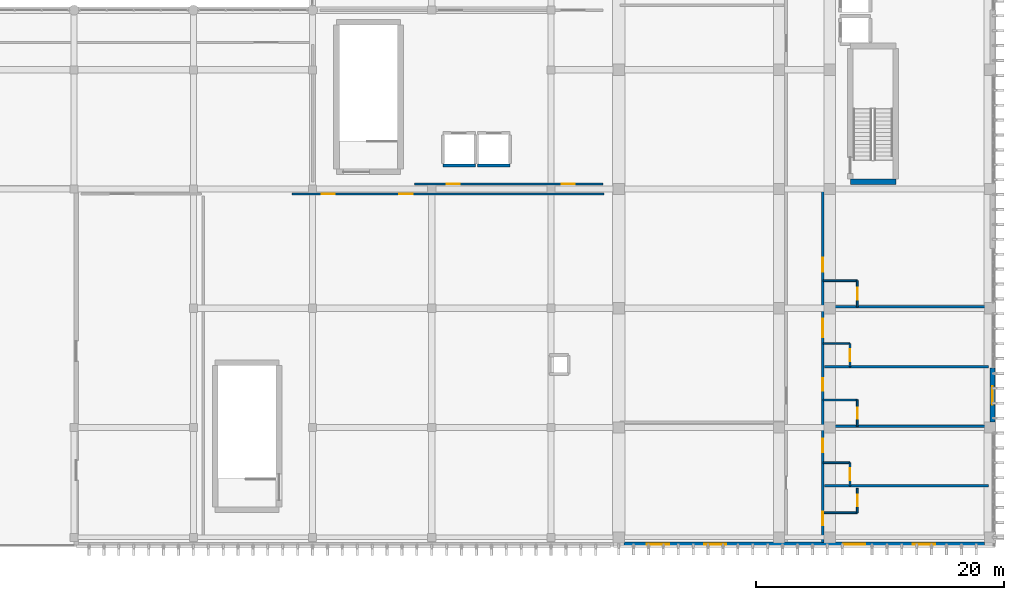
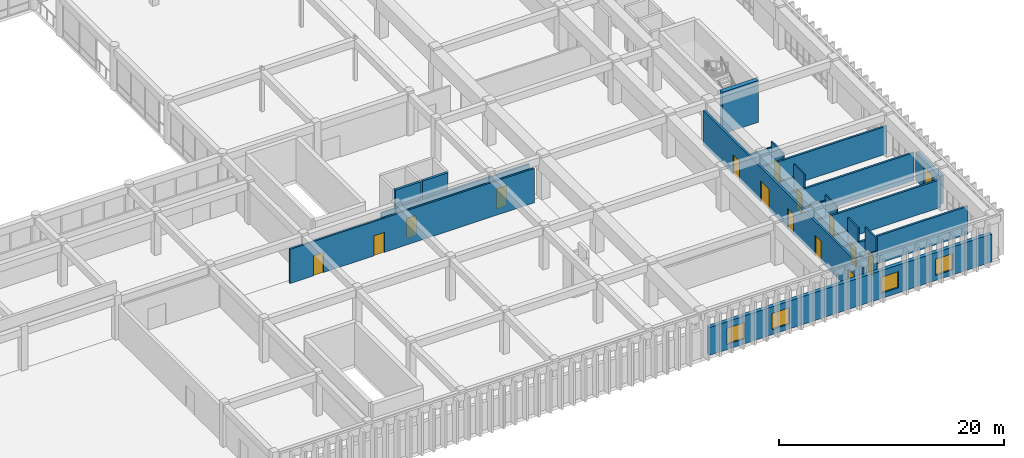
# One storey, part 76 of 101: 22 walls, 14 doors, 5 windows, 19 openings.
"""IFC4 building model written with IfcOpenShell, lengths in metres."""

from ifc_helpers import new_model, si_unit, direction, frame, frame_2d, origin, place, context, subcontext, project, spatial, rectangle, extrude, material, layer, layer_set, type_object, element, fill, save


model = new_model("IFC4")

# Units and contexts
model_context = context("Model", 3, precision=1e-05, world=origin(), true_north=direction((0.0, 1.0)))
body_context = subcontext(model_context, "Body", "Model", "MODEL_VIEW")
ifc_project = project(units=[si_unit("LENGTHUNIT", "METRE"), si_unit("AREAUNIT", "SQUARE_METRE"), si_unit("VOLUMEUNIT", "CUBIC_METRE"), si_unit("PLANEANGLEUNIT", "RADIAN"), si_unit("MASSUNIT", "GRAM", prefix="KILO")], contexts=[model_context])

# Site, building, storey
site_placement = place(None, origin())
site = spatial("IfcSite", under=ifc_project, at=site_placement, CompositionType="ELEMENT")
building_placement = place(site_placement, origin())
building = spatial("IfcBuilding", under=site, at=building_placement, Name="Nakhvara Creek Congress Hotel", CompositionType="ELEMENT")
storey_placement = place(building_placement, frame((0.0, 0.0, 16.199951171875)))
storey = spatial("IfcBuildingStorey", under=building, at=storey_placement, Name="L03", CompositionType="ELEMENT", Elevation=16.199951171875)

# Wall
ifc_material_1 = material(Name="Concrete C50/60", Category="concrete")
ifc_layer_1 = layer(ifc_material_1, 0.449951171875)
ifc_layer_set_1 = layer_set([ifc_layer_1], Name="Concrete C50/60")
wall_type_1 = type_object("IfcWallType", Name="W-CORE-450", PredefinedType="SHEAR", material=ifc_layer_set_1)
wall_1_placement = place(storey_placement, frame((168.10009765625, 29.3798828125, 0.0), z_axis=(0.0, 0.0, 1.0), x_axis=(1.0, 0.0, 0.0)))
element("IfcWall", 1, at=wall_1_placement, inside=storey, type_object=wall_type_1, Name="Core Shear Wall WS02-CWALL-L03-0589", PredefinedType="SHEAR", context=body_context, shape_type="SweptSolid", body=[
    extrude(rectangle(XDim=3.669921875, YDim=0.449951171875, at=frame_2d((1.8349609375, 0.0))), origin(), (0.0, 0.0, 1.0), 4.5400390625),
])

# Wall, openings, doors
ifc_material_2 = material(Name="Gypsum acoustic board on steel stud", Category="steel")
ifc_layer_2 = layer(ifc_material_2, 0.219970703125)
ifc_layer_set_2 = layer_set([ifc_layer_2], Name="Gypsum acoustic board on steel stud")
wall_type_2 = type_object("IfcWallType", Name="W-CORR-220", PredefinedType="PARTITIONING", material=ifc_layer_set_2)
wall_2_placement = place(storey_placement, frame((165.8798828125, 0.35009765625, 0.0), z_axis=(0.0, 0.0, 1.0), x_axis=(0.0, 1.0, 0.0)))
wall_2 = element("IfcWall", 2, at=wall_2_placement, inside=storey, type_object=wall_type_2, Name="Interior Wall WP11-IW-L03-0212", PredefinedType="PARTITIONING", context=body_context, shape_type="SweptSolid", body=[
    extrude(rectangle(XDim=28.25, YDim=0.219970703125, at=frame_2d((14.125, 0.0))), origin(), (0.0, 0.0, 1.0), 3.73193359375),
])
opening_1_placement = place(wall_2_placement, frame((1.39111328125, 0.0, 0.0)))
opening_1 = element("IfcOpeningElement", 3, at=opening_1_placement, cuts=wall_2, Name="Opening ID04", PredefinedType="OPENING", context=body_context, shape_type="SweptSolid", body=[
    extrude(rectangle(XDim=1.050048828125, YDim=2.179931640625, at=frame_2d((0.52490234375, 1.08984375))), frame((0.0, 0.1220703125, 0.0), z_axis=(0.0, -1.0, 0.0), x_axis=(1.0, 0.0, 0.0)), (0.0, 0.0, 1.0), 0.243896484375),
])
opening_2_placement = place(wall_2_placement, frame((7.2548828125, 0.0, 0.0)))
opening_2 = element("IfcOpeningElement", 4, at=opening_2_placement, cuts=wall_2, Name="Opening GD02", PredefinedType="OPENING", context=body_context, shape_type="SweptSolid", body=[
    extrude(rectangle(XDim=1.080078125, YDim=2.25, at=frame_2d((0.5400390625, 1.125))), frame((0.0, 0.1220703125, 0.0), z_axis=(0.0, -1.0, 0.0), x_axis=(1.0, 0.0, 0.0)), (0.0, 0.0, 1.0), 0.243896484375),
])
opening_3_placement = place(wall_2_placement, frame((12.18798828125, 0.0, 0.0)))
opening_3 = element("IfcOpeningElement", 5, at=opening_3_placement, cuts=wall_2, Name="Opening GD01", PredefinedType="OPENING", context=body_context, shape_type="SweptSolid", body=[
    extrude(rectangle(XDim=1.02001953125, YDim=2.199951171875, at=frame_2d((0.510009765625, 1.10009765625))), frame((0.0, 0.1220703125, 0.0), z_axis=(0.0, -1.0, 0.0), x_axis=(1.0, 0.0, 0.0)), (0.0, 0.0, 1.0), 0.243896484375),
])
opening_4_placement = place(wall_2_placement, frame((16.5048828125, 0.0, 0.0)))
opening_4 = element("IfcOpeningElement", 6, at=opening_4_placement, cuts=wall_2, Name="Opening GD03", PredefinedType="OPENING", context=body_context, shape_type="SweptSolid", body=[
    extrude(rectangle(XDim=1.5, YDim=2.300048828125, at=frame_2d((0.75, 1.14990234375))), frame((0.0, 0.1220703125, 0.0), z_axis=(0.0, -1.0, 0.0), x_axis=(1.0, 0.0, 0.0)), (0.0, 0.0, 1.0), 0.243896484375),
])
opening_5_placement = place(wall_2_placement, frame((21.7880859375, 0.0, 0.0)))
opening_5 = element("IfcOpeningElement", 7, at=opening_5_placement, cuts=wall_2, Name="Opening BD01", PredefinedType="OPENING", context=body_context, shape_type="SweptSolid", body=[
    extrude(rectangle(XDim=1.1201171875, YDim=2.14990234375, at=frame_2d((0.56005859375, 1.074951171875))), frame((0.0, 0.1220703125, 0.0), z_axis=(0.0, -1.0, 0.0), x_axis=(1.0, 0.0, 0.0)), (0.0, 0.0, 1.0), 0.243896484375),
])
ifc_material_3 = material(Name="Walnut hardwood timber fire door", Category="wood")
door_type_1 = type_object("IfcDoorType", Name="DT-GUEST-102", OperationType="NOTDEFINED", PredefinedType="DOOR", material=ifc_material_3)
door_1_placement = place(opening_3_placement, origin())
door_1 = element("IfcDoor", 8, at=door_1_placement, inside=storey, type_object=door_type_1, Name="Interior Door GD01-0222", OperationType="SINGLE_SWING_LEFT", OverallHeight=2.199951171875, OverallWidth=1.02001953125, PredefinedType="DOOR", context=body_context, shape_type="SweptSolid", body=[
    extrude(rectangle(XDim=1.02001953125, YDim=2.199951171875, at=frame_2d((0.510009765625, 1.10009765625))), frame((0.0, 0.02490234375, 0.0), z_axis=(0.0, -1.0, 0.0), x_axis=(1.0, 0.0, 0.0)), (0.0, 0.0, 1.0), 0.050048828125),
])
fill(opening_3, door_1)
door_type_2 = type_object("IfcDoorType", Name="DT-GUEST-108", OperationType="NOTDEFINED", PredefinedType="DOOR", material=ifc_material_3)
door_2_placement = place(opening_2_placement, origin())
door_2 = element("IfcDoor", 9, at=door_2_placement, inside=storey, type_object=door_type_2, Name="Interior Door GD02-0220", OperationType="SINGLE_SWING_LEFT", OverallHeight=2.25, OverallWidth=1.080078125, PredefinedType="DOOR", context=body_context, shape_type="SweptSolid", body=[
    extrude(rectangle(XDim=1.080078125, YDim=2.25, at=frame_2d((0.5400390625, 1.125))), frame((0.0, 0.02490234375, 0.0), z_axis=(0.0, -1.0, 0.0), x_axis=(1.0, 0.0, 0.0)), (0.0, 0.0, 1.0), 0.050048828125),
])
fill(opening_2, door_2)
ifc_material_4 = material(Name="Hardwood-faced service fire door", Category="wood")
door_type_3 = type_object("IfcDoorType", Name="DT-HK-112", OperationType="NOTDEFINED", PredefinedType="DOOR", material=ifc_material_4)
door_3_placement = place(opening_5_placement, origin())
door_3 = element("IfcDoor", 10, at=door_3_placement, inside=storey, type_object=door_type_3, Name="Interior Door BD01-0226", OperationType="SINGLE_SWING_LEFT", OverallHeight=2.14990234375, OverallWidth=1.1201171875, PredefinedType="DOOR", context=body_context, shape_type="SweptSolid", body=[
    extrude(rectangle(XDim=1.1201171875, YDim=2.14990234375, at=frame_2d((0.56005859375, 1.074951171875))), frame((0.0, 0.02490234375, 0.0), z_axis=(0.0, -1.0, 0.0), x_axis=(1.0, 0.0, 0.0)), (0.0, 0.0, 1.0), 0.050048828125),
])
fill(opening_5, door_3)
ifc_material_5 = material(Name="Teak timber & frosted glass spa door", Category="wood")
door_type_4 = type_object("IfcDoorType", Name="DT-SPA-105", OperationType="NOTDEFINED", PredefinedType="DOOR", material=ifc_material_5)
door_4_placement = place(opening_1_placement, origin())
door_4 = element("IfcDoor", 11, at=door_4_placement, inside=storey, type_object=door_type_4, Name="Interior Door ID04-0218", OperationType="SINGLE_SWING_LEFT", OverallHeight=2.179931640625, OverallWidth=1.050048828125, PredefinedType="DOOR", context=body_context, shape_type="SweptSolid", body=[
    extrude(rectangle(XDim=1.050048828125, YDim=2.179931640625, at=frame_2d((0.52490234375, 1.08984375))), frame((0.0, 0.02490234375, 0.0), z_axis=(0.0, -1.0, 0.0), x_axis=(1.0, 0.0, 0.0)), (0.0, 0.0, 1.0), 0.050048828125),
])
fill(opening_1, door_4)
ifc_material_6 = material(Name="Walnut hardwood double fire door", Category="wood")
door_type_5 = type_object("IfcDoorType", Name="DT-SUITE-150", OperationType="DOUBLE_DOOR_SINGLE_SWING", PredefinedType="DOOR", material=ifc_material_6)
door_5_placement = place(opening_4_placement, origin())
door_5 = element("IfcDoor", 12, at=door_5_placement, inside=storey, type_object=door_type_5, Name="Interior Door GD03-0224", OperationType="DOUBLE_DOOR_SINGLE_SWING", OverallHeight=2.300048828125, OverallWidth=1.5, PredefinedType="DOOR", context=body_context, shape_type="SweptSolid", body=[
    extrude(rectangle(XDim=1.5, YDim=2.300048828125, at=frame_2d((0.75, 1.14990234375))), frame((0.0, 0.02490234375, 0.0), z_axis=(0.0, -1.0, 0.0), x_axis=(1.0, 0.0, 0.0)), (0.0, 0.0, 1.0), 0.050048828125),
])
fill(opening_4, door_5)

# Wall, opening, door
ifc_material_7 = material(Name="Moisture-resistant gypsum board partition")
ifc_layer_3 = layer(ifc_material_7, 0.139892578125)
ifc_layer_set_3 = layer_set([ifc_layer_3], Name="Moisture-resistant gypsum board partition")
wall_type_3 = type_object("IfcWallType", Name="W-ENS-140", PredefinedType="PARTITIONING", material=ifc_layer_set_3)
wall_3_placement = place(storey_placement, frame((168.669921875, 2.721923828125, 0.0), z_axis=(0.0, 0.0, 1.0), x_axis=(0.0, 1.0, 0.0)))
wall_3 = element("IfcWall", 13, at=wall_3_placement, inside=storey, type_object=wall_type_3, Name="Interior Wall WP15-IW-L03-0235", PredefinedType="PARTITIONING", context=body_context, shape_type="SweptSolid", body=[
    extrude(rectangle(XDim=1.97802734375, YDim=0.139892578125, at=frame_2d((0.989013671875, 0.0))), origin(), (0.0, 0.0, 1.0), 4.5400390625),
])
opening_6_placement = place(wall_3_placement, frame((0.513916015625, 0.0, 0.0)))
opening_6 = element("IfcOpeningElement", 14, at=opening_6_placement, cuts=wall_3, Name="Opening ID02", PredefinedType="OPENING", context=body_context, shape_type="SweptSolid", body=[
    extrude(rectangle(XDim=0.9599609375, YDim=2.1201171875, at=frame_2d((0.47998046875, 1.06005859375))), frame((0.0, 0.08203125, 0.0), z_axis=(0.0, -1.0, 0.0), x_axis=(1.0, 0.0, 0.0)), (0.0, 0.0, 1.0), 0.163818359375),
])
ifc_material_8 = material(Name="Moisture-resistant walnut timber door", Category="wood")
door_type_6 = type_object("IfcDoorType", Name="DT-ENS-096", OperationType="NOTDEFINED", PredefinedType="DOOR", material=ifc_material_8)
door_6_placement = place(opening_6_placement, frame((0.9599609375, 0.0, 0.0), z_axis=(0.0, 0.0, 1.0), x_axis=(-1.0, 0.0, 0.0)))
door_6 = element("IfcDoor", 15, at=door_6_placement, inside=storey, type_object=door_type_6, Name="Interior Door ID02-0219", OperationType="SINGLE_SWING_RIGHT", OverallHeight=2.1201171875, OverallWidth=0.9599609375, PredefinedType="DOOR", context=body_context, shape_type="SweptSolid", body=[
    extrude(rectangle(XDim=0.9599609375, YDim=2.1201171875, at=frame_2d((0.47998046875, 1.06005859375))), frame((0.0, 0.02490234375, 0.0), z_axis=(0.0, -1.0, 0.0), x_axis=(1.0, 0.0, 0.0)), (0.0, 0.0, 1.0), 0.050048828125),
])
fill(opening_6, door_6)

# Wall
wall_4_placement = place(storey_placement, frame((165.919921875, 2.721923828125, 0.0), z_axis=(0.0, 0.0, 1.0), x_axis=(1.0, 0.0, 0.0)))
element("IfcWall", 16, at=wall_4_placement, inside=storey, type_object=wall_type_3, Name="Interior Wall WP15-IW-L03-0236", PredefinedType="PARTITIONING", context=body_context, shape_type="SweptSolid", body=[
    extrude(rectangle(XDim=2.75, YDim=0.139892578125, at=frame_2d((1.375, 0.0))), origin(), (0.0, 0.0, 1.0), 3.132080078125),
])

# Wall, opening, door
wall_5_placement = place(storey_placement, frame((168.070068359375, 4.89990234375, 0.0), z_axis=(0.0, 0.0, 1.0), x_axis=(0.0, 1.0, 0.0)))
wall_5 = element("IfcWall", 17, at=wall_5_placement, inside=storey, type_object=wall_type_3, Name="Interior Wall WP15-IW-L03-0238", PredefinedType="PARTITIONING", context=body_context, shape_type="SweptSolid", body=[
    extrude(rectangle(XDim=1.85009765625, YDim=0.139892578125, at=frame_2d((0.925048828125, 0.0))), origin(), (0.0, 0.0, 1.0), 4.5400390625),
])
opening_7_placement = place(wall_5_placement, frame((0.449951171875, 0.0, 0.0)))
opening_7 = element("IfcOpeningElement", 18, at=opening_7_placement, cuts=wall_5, Name="Opening ID02", PredefinedType="OPENING", context=body_context, shape_type="SweptSolid", body=[
    extrude(rectangle(XDim=0.9599609375, YDim=2.1201171875, at=frame_2d((0.47998046875, 1.06005859375))), frame((0.0, 0.08203125, 0.0), z_axis=(0.0, -1.0, 0.0), x_axis=(1.0, 0.0, 0.0)), (0.0, 0.0, 1.0), 0.163818359375),
])
door_7_placement = place(opening_7_placement, frame((0.9599609375, 0.0, 0.0), z_axis=(0.0, 0.0, 1.0), x_axis=(-1.0, 0.0, 0.0)))
door_7 = element("IfcDoor", 19, at=door_7_placement, inside=storey, type_object=door_type_6, Name="Interior Door ID02-0221", OperationType="SINGLE_SWING_RIGHT", OverallHeight=2.1201171875, OverallWidth=0.9599609375, PredefinedType="DOOR", context=body_context, shape_type="SweptSolid", body=[
    extrude(rectangle(XDim=0.9599609375, YDim=2.1201171875, at=frame_2d((0.47998046875, 1.06005859375))), frame((0.0, 0.02490234375, 0.0), z_axis=(0.0, -1.0, 0.0), x_axis=(1.0, 0.0, 0.0)), (0.0, 0.0, 1.0), 0.050048828125),
])
fill(opening_7, door_7)

# Wall
wall_6_placement = place(storey_placement, frame((165.919921875, 6.75, 0.0), z_axis=(0.0, 0.0, 1.0), x_axis=(1.0, 0.0, 0.0)))
element("IfcWall", 20, at=wall_6_placement, inside=storey, type_object=wall_type_3, Name="Interior Wall WP15-IW-L03-0239", PredefinedType="PARTITIONING", context=body_context, shape_type="SweptSolid", body=[
    extrude(rectangle(XDim=2.150146484375, YDim=0.139892578125, at=frame_2d((1.0751953125, 0.0))), origin(), (0.0, 0.0, 1.0), 3.132080078125),
])

# Wall, opening, door
wall_7_placement = place(storey_placement, frame((168.669921875, 9.699951171875, 0.0), z_axis=(0.0, 0.0, 1.0), x_axis=(0.0, 1.0, 0.0)))
wall_7 = element("IfcWall", 21, at=wall_7_placement, inside=storey, type_object=wall_type_3, Name="Interior Wall WP15-IW-L03-0241", PredefinedType="PARTITIONING", context=body_context, shape_type="SweptSolid", body=[
    extrude(rectangle(XDim=2.115966796875, YDim=0.139892578125, at=frame_2d((1.05810546875, 0.0))), origin(), (0.0, 0.0, 1.0), 3.73193359375),
])
opening_8_placement = place(wall_7_placement, frame((0.5830078125, 0.0, 0.0)))
opening_8 = element("IfcOpeningElement", 22, at=opening_8_placement, cuts=wall_7, Name="Opening ID01", PredefinedType="OPENING", context=body_context, shape_type="SweptSolid", body=[
    extrude(rectangle(XDim=0.919921875, YDim=2.10009765625, at=frame_2d((0.4599609375, 1.050048828125))), frame((0.0, 0.08203125, 0.0), z_axis=(0.0, -1.0, 0.0), x_axis=(1.0, 0.0, 0.0)), (0.0, 0.0, 1.0), 0.163818359375),
])
door_type_7 = type_object("IfcDoorType", Name="DT-ENS-092", OperationType="NOTDEFINED", PredefinedType="DOOR", material=ifc_material_8)
door_8_placement = place(opening_8_placement, frame((0.919921875, 0.0, 0.0), z_axis=(0.0, 0.0, 1.0), x_axis=(-1.0, 0.0, 0.0)))
door_8 = element("IfcDoor", 23, at=door_8_placement, inside=storey, type_object=door_type_7, Name="Interior Door ID01-0223", OperationType="SINGLE_SWING_RIGHT", OverallHeight=2.10009765625, OverallWidth=0.919921875, PredefinedType="DOOR", context=body_context, shape_type="SweptSolid", body=[
    extrude(rectangle(XDim=0.919921875, YDim=2.10009765625, at=frame_2d((0.4599609375, 1.050048828125))), frame((0.0, 0.02490234375, 0.0), z_axis=(0.0, -1.0, 0.0), x_axis=(1.0, 0.0, 0.0)), (0.0, 0.0, 1.0), 0.050048828125),
])
fill(opening_8, door_8)

# Wall
wall_8_placement = place(storey_placement, frame((165.919921875, 11.81591796875, 0.0), z_axis=(0.0, 0.0, 1.0), x_axis=(1.0, 0.0, 0.0)))
element("IfcWall", 24, at=wall_8_placement, inside=storey, type_object=wall_type_3, Name="Interior Wall WP15-IW-L03-0242", PredefinedType="PARTITIONING", context=body_context, shape_type="SweptSolid", body=[
    extrude(rectangle(XDim=2.75, YDim=0.139892578125, at=frame_2d((1.375, 0.0))), origin(), (0.0, 0.0, 1.0), 3.132080078125),
])

# Wall, opening, door
wall_9_placement = place(storey_placement, frame((168.070068359375, 14.5, 0.0), z_axis=(0.0, 0.0, 1.0), x_axis=(0.0, 1.0, 0.0)))
wall_9 = element("IfcWall", 25, at=wall_9_placement, inside=storey, type_object=wall_type_3, Name="Interior Wall WP15-IW-L03-0244", PredefinedType="PARTITIONING", context=body_context, shape_type="SweptSolid", body=[
    extrude(rectangle(XDim=1.85009765625, YDim=0.139892578125, at=frame_2d((0.925048828125, 0.0))), origin(), (0.0, 0.0, 1.0), 4.5400390625),
])
opening_9_placement = place(wall_9_placement, frame((0.449951171875, 0.0, 0.0)))
opening_9 = element("IfcOpeningElement", 26, at=opening_9_placement, cuts=wall_9, Name="Opening ID02", PredefinedType="OPENING", context=body_context, shape_type="SweptSolid", body=[
    extrude(rectangle(XDim=0.9599609375, YDim=2.1201171875, at=frame_2d((0.47998046875, 1.06005859375))), frame((0.0, 0.08203125, 0.0), z_axis=(0.0, -1.0, 0.0), x_axis=(1.0, 0.0, 0.0)), (0.0, 0.0, 1.0), 0.163818359375),
])
door_9_placement = place(opening_9_placement, frame((0.9599609375, 0.0, 0.0), z_axis=(0.0, 0.0, 1.0), x_axis=(-1.0, 0.0, 0.0)))
door_9 = element("IfcDoor", 27, at=door_9_placement, inside=storey, type_object=door_type_6, Name="Interior Door ID02-0225", OperationType="SINGLE_SWING_RIGHT", OverallHeight=2.1201171875, OverallWidth=0.9599609375, PredefinedType="DOOR", context=body_context, shape_type="SweptSolid", body=[
    extrude(rectangle(XDim=0.9599609375, YDim=2.1201171875, at=frame_2d((0.47998046875, 1.06005859375))), frame((0.0, 0.02490234375, 0.0), z_axis=(0.0, -1.0, 0.0), x_axis=(1.0, 0.0, 0.0)), (0.0, 0.0, 1.0), 0.050048828125),
])
fill(opening_9, door_9)

# Wall
wall_10_placement = place(storey_placement, frame((165.919921875, 16.35009765625, 0.0), z_axis=(0.0, 0.0, 1.0), x_axis=(1.0, 0.0, 0.0)))
element("IfcWall", 28, at=wall_10_placement, inside=storey, type_object=wall_type_3, Name="Interior Wall WP15-IW-L03-0245", PredefinedType="PARTITIONING", context=body_context, shape_type="SweptSolid", body=[
    extrude(rectangle(XDim=2.150146484375, YDim=0.139892578125, at=frame_2d((1.0751953125, 0.0))), origin(), (0.0, 0.0, 1.0), 3.132080078125),
])

# Wall, opening, door
wall_11_placement = place(storey_placement, frame((168.669921875, 19.300048828125, 0.0), z_axis=(0.0, 0.0, 1.0), x_axis=(0.0, 1.0, 0.0)))
wall_11 = element("IfcWall", 29, at=wall_11_placement, inside=storey, type_object=wall_type_3, Name="Interior Wall WP15-IW-L03-0247", PredefinedType="PARTITIONING", context=body_context, shape_type="SweptSolid", body=[
    extrude(rectangle(XDim=2.115966796875, YDim=0.139892578125, at=frame_2d((1.05810546875, 0.0))), origin(), (0.0, 0.0, 1.0), 3.73193359375),
])
opening_10_placement = place(wall_11_placement, frame((0.5830078125, 0.0, 0.0)))
opening_10 = element("IfcOpeningElement", 30, at=opening_10_placement, cuts=wall_11, Name="Opening ID02", PredefinedType="OPENING", context=body_context, shape_type="SweptSolid", body=[
    extrude(rectangle(XDim=0.9599609375, YDim=2.1201171875, at=frame_2d((0.47998046875, 1.06005859375))), frame((0.0, 0.08203125, 0.0), z_axis=(0.0, -1.0, 0.0), x_axis=(1.0, 0.0, 0.0)), (0.0, 0.0, 1.0), 0.163818359375),
])
door_10_placement = place(opening_10_placement, frame((0.9599609375, 0.0, 0.0), z_axis=(0.0, 0.0, 1.0), x_axis=(-1.0, 0.0, 0.0)))
door_10 = element("IfcDoor", 31, at=door_10_placement, inside=storey, type_object=door_type_6, Name="Interior Door ID02-0227", OperationType="SINGLE_SWING_RIGHT", OverallHeight=2.1201171875, OverallWidth=0.9599609375, PredefinedType="DOOR", context=body_context, shape_type="SweptSolid", body=[
    extrude(rectangle(XDim=0.9599609375, YDim=2.1201171875, at=frame_2d((0.47998046875, 1.06005859375))), frame((0.0, 0.02490234375, 0.0), z_axis=(0.0, -1.0, 0.0), x_axis=(1.0, 0.0, 0.0)), (0.0, 0.0, 1.0), 0.050048828125),
])
fill(opening_10, door_10)

# Wall
wall_12_placement = place(storey_placement, frame((165.919921875, 21.416015625, 0.0), z_axis=(0.0, 0.0, 1.0), x_axis=(1.0, 0.0, 0.0)))
element("IfcWall", 32, at=wall_12_placement, inside=storey, type_object=wall_type_3, Name="Interior Wall WP15-IW-L03-0248", PredefinedType="PARTITIONING", context=body_context, shape_type="SweptSolid", body=[
    extrude(rectangle(XDim=2.75, YDim=0.139892578125, at=frame_2d((1.375, 0.0))), origin(), (0.0, 0.0, 1.0), 3.132080078125),
])

# Wall, openings, windows
ifc_material_9 = material(Name="Honed pale Omani limestone cladding", Category="masonry")
ifc_layer_4 = layer(ifc_material_9, 0.050048828125)
ifc_material_10 = material(Name="Mineral wool thermal insulation")
ifc_layer_5 = layer(ifc_material_10, 0.110107421875)
ifc_material_11 = material(Name="Precast concrete C40/50", Category="concrete")
ifc_layer_6 = layer(ifc_material_11, 0.219970703125)
ifc_layer_set_4 = layer_set([ifc_layer_4, ifc_layer_5, ifc_layer_6], Name="Precast concrete C40/50")
wall_type_4 = type_object("IfcWallType", Name="W-EXT-380", PredefinedType="SOLIDWALL", material=ifc_layer_set_4)
wall_13_placement = place(storey_placement, frame((178.925048828125, 0.18994140625, 0.0), z_axis=(0.0, 0.0, 1.0), x_axis=(-1.0, 0.0, 0.0)))
wall_13 = element("IfcWall", 33, at=wall_13_placement, inside=storey, type_object=wall_type_4, Name="Exterior Wall WE03-EW-L03-0120", PredefinedType="SOLIDWALL", context=body_context, shape_type="SweptSolid", body=[
    extrude(rectangle(XDim=29.050048828125, YDim=0.3798828125, at=frame_2d((14.52490234375, 0.0))), origin(), (0.0, 0.0, 1.0), 3.031982421875),
])
opening_11_placement = place(wall_13_placement, frame((4.0, 0.0, 0.550048828125)))
opening_11 = element("IfcOpeningElement", 34, at=opening_11_placement, cuts=wall_13, Name="Opening WN0130", PredefinedType="OPENING", context=body_context, shape_type="SweptSolid", body=[
    extrude(rectangle(XDim=1.800048828125, YDim=1.760009765625, at=frame_2d((0.89990234375, 0.8798828125))), frame((0.0, 0.201904296875, 0.0), z_axis=(0.0, -1.0, 0.0), x_axis=(1.0, 0.0, 0.0)), (0.0, 0.0, 1.0), 0.40380859375),
])
opening_12_placement = place(wall_13_placement, frame((9.60009765625, 0.0, 0.550048828125)))
opening_12 = element("IfcOpeningElement", 35, at=opening_12_placement, cuts=wall_13, Name="Opening WN0131", PredefinedType="OPENING", context=body_context, shape_type="SweptSolid", body=[
    extrude(rectangle(XDim=1.800048828125, YDim=1.760009765625, at=frame_2d((0.89990234375, 0.8798828125))), frame((0.0, 0.201904296875, 0.0), z_axis=(0.0, -1.0, 0.0), x_axis=(1.0, 0.0, 0.0)), (0.0, 0.0, 1.0), 0.40380859375),
])
opening_13_placement = place(wall_13_placement, frame((20.800048828125, 0.0, 0.550048828125)))
opening_13 = element("IfcOpeningElement", 36, at=opening_13_placement, cuts=wall_13, Name="Opening WN0132", PredefinedType="OPENING", context=body_context, shape_type="SweptSolid", body=[
    extrude(rectangle(XDim=1.800048828125, YDim=1.760009765625, at=frame_2d((0.89990234375, 0.8798828125))), frame((0.0, 0.201904296875, 0.0), z_axis=(0.0, -1.0, 0.0), x_axis=(1.0, 0.0, 0.0)), (0.0, 0.0, 1.0), 0.40380859375),
])
opening_14_placement = place(wall_13_placement, frame((25.39990234375, 0.0, 0.550048828125)))
opening_14 = element("IfcOpeningElement", 37, at=opening_14_placement, cuts=wall_13, Name="Opening WN0133", PredefinedType="OPENING", context=body_context, shape_type="SweptSolid", body=[
    extrude(rectangle(XDim=1.800048828125, YDim=1.760009765625, at=frame_2d((0.89990234375, 0.8798828125))), frame((0.0, 0.201904296875, 0.0), z_axis=(0.0, -1.0, 0.0), x_axis=(1.0, 0.0, 0.0)), (0.0, 0.0, 1.0), 0.40380859375),
])
ifc_material_12 = material(Name="Thermally broken bronze-anodised aluminium and double-silver low-E insulated glass", Category="aluminium")
window_type_1 = type_object("IfcWindowType", Name="WN-LAN-180X225", PartitioningType="SINGLE_PANEL", PredefinedType="WINDOW", material=ifc_material_12)
window_1_placement = place(opening_11_placement, origin())
window_1 = element("IfcWindow", 38, at=window_1_placement, inside=storey, type_object=window_type_1, Name="Facade Window WN0130", OverallHeight=1.760009765625, OverallWidth=1.800048828125, PartitioningType="SINGLE_PANEL", PredefinedType="WINDOW", context=body_context, shape_type="SweptSolid", body=[
    extrude(rectangle(XDim=1.800048828125, YDim=1.760009765625, at=frame_2d((0.89990234375, 0.8798828125))), frame((0.0, 0.030029296875, 0.0), z_axis=(0.0, -1.0, 0.0), x_axis=(1.0, 0.0, 0.0)), (0.0, 0.0, 1.0), 0.06005859375),
])
fill(opening_11, window_1)
window_2_placement = place(opening_12_placement, origin())
window_2 = element("IfcWindow", 39, at=window_2_placement, inside=storey, type_object=window_type_1, Name="Facade Window WN0131", OverallHeight=1.760009765625, OverallWidth=1.800048828125, PartitioningType="SINGLE_PANEL", PredefinedType="WINDOW", context=body_context, shape_type="SweptSolid", body=[
    extrude(rectangle(XDim=1.800048828125, YDim=1.760009765625, at=frame_2d((0.89990234375, 0.8798828125))), frame((0.0, 0.030029296875, 0.0), z_axis=(0.0, -1.0, 0.0), x_axis=(1.0, 0.0, 0.0)), (0.0, 0.0, 1.0), 0.06005859375),
])
fill(opening_12, window_2)
window_3_placement = place(opening_13_placement, origin())
window_3 = element("IfcWindow", 40, at=window_3_placement, inside=storey, type_object=window_type_1, Name="Facade Window WN0132", OverallHeight=1.760009765625, OverallWidth=1.800048828125, PartitioningType="SINGLE_PANEL", PredefinedType="WINDOW", context=body_context, shape_type="SweptSolid", body=[
    extrude(rectangle(XDim=1.800048828125, YDim=1.760009765625, at=frame_2d((0.89990234375, 0.8798828125))), frame((0.0, 0.030029296875, 0.0), z_axis=(0.0, -1.0, 0.0), x_axis=(1.0, 0.0, 0.0)), (0.0, 0.0, 1.0), 0.06005859375),
])
fill(opening_13, window_3)
window_4_placement = place(opening_14_placement, origin())
window_4 = element("IfcWindow", 41, at=window_4_placement, inside=storey, type_object=window_type_1, Name="Facade Window WN0133", OverallHeight=1.760009765625, OverallWidth=1.800048828125, PartitioningType="SINGLE_PANEL", PredefinedType="WINDOW", context=body_context, shape_type="SweptSolid", body=[
    extrude(rectangle(XDim=1.800048828125, YDim=1.760009765625, at=frame_2d((0.89990234375, 0.8798828125))), frame((0.0, 0.030029296875, 0.0), z_axis=(0.0, -1.0, 0.0), x_axis=(1.0, 0.0, 0.0)), (0.0, 0.0, 1.0), 0.06005859375),
])
fill(opening_14, window_4)

# Wall, opening, window
wall_14_placement = place(storey_placement, frame((179.56005859375, 14.39990234375, 0.0), z_axis=(0.0, 0.0, 1.0), x_axis=(0.0, -1.0, 0.0)))
wall_14 = element("IfcWall", 42, at=wall_14_placement, inside=storey, type_object=wall_type_4, Name="Exterior Wall WE03-EW-L03-0121", PredefinedType="SOLIDWALL", context=body_context, shape_type="SweptSolid", body=[
    extrude(rectangle(XDim=4.375, YDim=0.3798828125, at=frame_2d((2.1875, 0.0))), origin(), (0.0, 0.0, 1.0), 3.031982421875),
])
opening_15_placement = place(wall_14_placement, frame((1.472412109375, 0.0, 0.550048828125)))
opening_15 = element("IfcOpeningElement", 43, at=opening_15_placement, cuts=wall_14, Name="Opening WN0134", PredefinedType="OPENING", context=body_context, shape_type="SweptSolid", body=[
    extrude(rectangle(XDim=1.5, YDim=1.739990234375, at=frame_2d((0.75, 0.8701171875))), frame((0.0, 0.201904296875, 0.0), z_axis=(0.0, -1.0, 0.0), x_axis=(1.0, 0.0, 0.0)), (0.0, 0.0, 1.0), 0.40380859375),
])
window_type_2 = type_object("IfcWindowType", Name="WN-LAN-150X220", PartitioningType="SINGLE_PANEL", PredefinedType="WINDOW", material=ifc_material_12)
window_5_placement = place(opening_15_placement, origin())
window_5 = element("IfcWindow", 44, at=window_5_placement, inside=storey, type_object=window_type_2, Name="Facade Window WN0134", OverallHeight=1.739990234375, OverallWidth=1.5, PartitioningType="SINGLE_PANEL", PredefinedType="WINDOW", context=body_context, shape_type="SweptSolid", body=[
    extrude(rectangle(XDim=1.5, YDim=1.739990234375, at=frame_2d((0.75, 0.8701171875))), frame((0.0, 0.030029296875, 0.0), z_axis=(0.0, -1.0, 0.0), x_axis=(1.0, 0.0, 0.0)), (0.0, 0.0, 1.0), 0.06005859375),
])
fill(opening_15, window_5)

# Wall, openings, doors
ifc_layer_7 = layer(ifc_material_2, 0.179931640625)
ifc_layer_set_5 = layer_set([ifc_layer_7], Name="Gypsum acoustic board on steel stud")
wall_type_5 = type_object("IfcWallType", Name="W-MEET-180", PredefinedType="PARTITIONING", material=ifc_layer_set_5)
wall_15_placement = place(storey_placement, frame((133.0, 29.199951171875, 0.0), z_axis=(0.0, 0.0, 1.0), x_axis=(1.0, 0.0, 0.0)))
wall_15 = element("IfcWall", 45, at=wall_15_placement, inside=storey, type_object=wall_type_5, Name="Interior Wall WP13-IW-L03-0224", PredefinedType="PARTITIONING", context=body_context, shape_type="SweptSolid", body=[
    extrude(rectangle(XDim=15.199951171875, YDim=0.179931640625, at=frame_2d((7.60009765625, 0.0))), origin(), (0.0, 0.0, 1.0), 3.73193359375),
])
opening_16_placement = place(wall_15_placement, frame((2.60009765625, 0.0, 0.0)))
opening_16 = element("IfcOpeningElement", 46, at=opening_16_placement, cuts=wall_15, Name="Opening ID04", PredefinedType="OPENING", context=body_context, shape_type="SweptSolid", body=[
    extrude(rectangle(XDim=1.050048828125, YDim=2.179931640625, at=frame_2d((0.52490234375, 1.08984375))), frame((0.0, 0.10205078125, 0.0), z_axis=(0.0, -1.0, 0.0), x_axis=(1.0, 0.0, 0.0)), (0.0, 0.0, 1.0), 0.203857421875),
])
opening_17_placement = place(wall_15_placement, frame((11.85009765625, 0.0, 0.0)))
opening_17 = element("IfcOpeningElement", 47, at=opening_17_placement, cuts=wall_15, Name="Opening ID04", PredefinedType="OPENING", context=body_context, shape_type="SweptSolid", body=[
    extrude(rectangle(XDim=1.050048828125, YDim=2.179931640625, at=frame_2d((0.52490234375, 1.08984375))), frame((0.0, 0.10205078125, 0.0), z_axis=(0.0, -1.0, 0.0), x_axis=(1.0, 0.0, 0.0)), (0.0, 0.0, 1.0), 0.203857421875),
])
door_11_placement = place(opening_16_placement, frame((1.050048828125, 0.0, 0.0), z_axis=(0.0, 0.0, 1.0), x_axis=(-1.0, 0.0, 0.0)))
door_11 = element("IfcDoor", 48, at=door_11_placement, inside=storey, type_object=door_type_4, Name="Interior Door ID04-0204", OperationType="SINGLE_SWING_LEFT", OverallHeight=2.179931640625, OverallWidth=1.050048828125, PredefinedType="DOOR", context=body_context, shape_type="SweptSolid", body=[
    extrude(rectangle(XDim=1.050048828125, YDim=2.179931640625, at=frame_2d((0.52490234375, 1.08984375))), frame((0.0, 0.02490234375, 0.0), z_axis=(0.0, -1.0, 0.0), x_axis=(1.0, 0.0, 0.0)), (0.0, 0.0, 1.0), 0.050048828125),
])
fill(opening_16, door_11)
door_12_placement = place(opening_17_placement, frame((1.050048828125, 0.0, 0.0), z_axis=(0.0, 0.0, 1.0), x_axis=(-1.0, 0.0, 0.0)))
door_12 = element("IfcDoor", 49, at=door_12_placement, inside=storey, type_object=door_type_4, Name="Interior Door ID04-0205", OperationType="SINGLE_SWING_RIGHT", OverallHeight=2.179931640625, OverallWidth=1.050048828125, PredefinedType="DOOR", context=body_context, shape_type="SweptSolid", body=[
    extrude(rectangle(XDim=1.050048828125, YDim=2.179931640625, at=frame_2d((0.52490234375, 1.08984375))), frame((0.0, 0.02490234375, 0.0), z_axis=(0.0, -1.0, 0.0), x_axis=(1.0, 0.0, 0.0)), (0.0, 0.0, 1.0), 0.050048828125),
])
fill(opening_17, door_12)

wall_16_placement = place(storey_placement, frame((123.14990234375, 28.39990234375, 0.0), z_axis=(0.0, 0.0, 1.0), x_axis=(1.0, 0.0, 0.0)))
wall_16 = element("IfcWall", 50, at=wall_16_placement, inside=storey, type_object=wall_type_5, Name="Interior Wall WP13-IW-L03-0228", PredefinedType="PARTITIONING", context=body_context, shape_type="SweptSolid", body=[
    extrude(rectangle(XDim=25.10009765625, YDim=0.179931640625, at=frame_2d((12.550048828125, 0.0))), origin(), (0.0, 0.0, 1.0), 3.73193359375),
])
opening_18_placement = place(wall_16_placement, frame((2.39990234375, 0.0, 0.0)))
opening_18 = element("IfcOpeningElement", 51, at=opening_18_placement, cuts=wall_16, Name="Opening ID04", PredefinedType="OPENING", context=body_context, shape_type="SweptSolid", body=[
    extrude(rectangle(XDim=1.050048828125, YDim=2.179931640625, at=frame_2d((0.52490234375, 1.08984375))), frame((0.0, 0.10205078125, 0.0), z_axis=(0.0, -1.0, 0.0), x_axis=(1.0, 0.0, 0.0)), (0.0, 0.0, 1.0), 0.203857421875),
])
opening_19_placement = place(wall_16_placement, frame((8.64990234375, 0.0, 0.0)))
opening_19 = element("IfcOpeningElement", 52, at=opening_19_placement, cuts=wall_16, Name="Opening ID04", PredefinedType="OPENING", context=body_context, shape_type="SweptSolid", body=[
    extrude(rectangle(XDim=1.050048828125, YDim=2.179931640625, at=frame_2d((0.52490234375, 1.08984375))), frame((0.0, 0.10205078125, 0.0), z_axis=(0.0, -1.0, 0.0), x_axis=(1.0, 0.0, 0.0)), (0.0, 0.0, 1.0), 0.203857421875),
])
door_13_placement = place(opening_18_placement, origin())
door_13 = element("IfcDoor", 53, at=door_13_placement, inside=storey, type_object=door_type_4, Name="Interior Door ID04-0209", OperationType="SINGLE_SWING_RIGHT", OverallHeight=2.179931640625, OverallWidth=1.050048828125, PredefinedType="DOOR", context=body_context, shape_type="SweptSolid", body=[
    extrude(rectangle(XDim=1.050048828125, YDim=2.179931640625, at=frame_2d((0.52490234375, 1.08984375))), frame((0.0, 0.02490234375, 0.0), z_axis=(0.0, -1.0, 0.0), x_axis=(1.0, 0.0, 0.0)), (0.0, 0.0, 1.0), 0.050048828125),
])
fill(opening_18, door_13)
door_14_placement = place(opening_19_placement, origin())
door_14 = element("IfcDoor", 54, at=door_14_placement, inside=storey, type_object=door_type_4, Name="Interior Door ID04-0210", OperationType="SINGLE_SWING_LEFT", OverallHeight=2.179931640625, OverallWidth=1.050048828125, PredefinedType="DOOR", context=body_context, shape_type="SweptSolid", body=[
    extrude(rectangle(XDim=1.050048828125, YDim=2.179931640625, at=frame_2d((0.52490234375, 1.08984375))), frame((0.0, 0.02490234375, 0.0), z_axis=(0.0, -1.0, 0.0), x_axis=(1.0, 0.0, 0.0)), (0.0, 0.0, 1.0), 0.050048828125),
])
fill(opening_19, door_14)

# Walls
ifc_layer_8 = layer(ifc_material_2, 0.199951171875)
ifc_layer_set_6 = layer_set([ifc_layer_8], Name="Gypsum acoustic board on steel stud")
wall_type_6 = type_object("IfcWallType", Name="W-PART-200", PredefinedType="PARTITIONING", material=ifc_layer_set_6)
for number, where, z_axis, x_axis, name in (
    (55, (166.02001953125, 4.89990234375, 0.0), (0.0, 0.0, 1.0), (1.0, 0.0, 0.0), "Interior Wall WP12-IW-L03-0237"),
    (56, (166.02001953125, 9.699951171875, 0.0), (0.0, 0.0, 1.0), (1.0, 0.0, 0.0), "Interior Wall WP12-IW-L03-0240"),
    (57, (166.02001953125, 14.5, 0.0), (0.0, 0.0, 1.0), (1.0, 0.0, 0.0), "Interior Wall WP12-IW-L03-0243"),
    (58, (166.02001953125, 19.300048828125, 0.0), (0.0, 0.0, 1.0), (1.0, 0.0, 0.0), "Interior Wall WP12-IW-L03-0246"),
):
    element("IfcWall", number, at=place(storey_placement, frame(where, z_axis=z_axis, x_axis=x_axis)), inside=storey, type_object=wall_type_6, Name=name, PredefinedType="PARTITIONING", context=body_context, shape_type="SweptSolid", body=[
        extrude(rectangle(XDim=13.22998046875, YDim=0.199951171875, at=frame_2d((6.614990234375, 0.0))), origin(), (0.0, 0.0, 1.0), 3.031982421875),
    ])
ifc_material_13 = material(Name="Concrete C40/50", Category="concrete")
ifc_layer_9 = layer(ifc_material_13, 0.25)
ifc_layer_set_7 = layer_set([ifc_layer_9], Name="Concrete C40/50")
wall_type_7 = type_object("IfcWallType", Name="W-SHAFT-250", PredefinedType="SOLIDWALL", material=ifc_layer_set_7)
for number, where, z_axis, x_axis, name in (
    (59, (135.2900390625, 30.68994140625, 0.0), (0.0, 0.0, 1.0), (1.0, 0.0, 0.0), "Core Shear Wall WI02-CWALL-L03-0840"),
    (60, (138.090087890625, 30.68994140625, 0.0), (0.0, 0.0, 1.0), (1.0, 0.0, 0.0), "Core Shear Wall WI02-CWALL-L03-0844"),
):
    element("IfcWall", number, at=place(storey_placement, frame(where, z_axis=z_axis, x_axis=x_axis)), inside=storey, type_object=wall_type_7, Name=name, PredefinedType="SOLIDWALL", context=body_context, shape_type="SweptSolid", body=[
        extrude(rectangle(XDim=2.619873046875, YDim=0.25, at=frame_2d((1.31005859375, 0.0))), origin(), (0.0, 0.0, 1.0), 4.5400390625),
    ])

save(model, "model.ifc")
